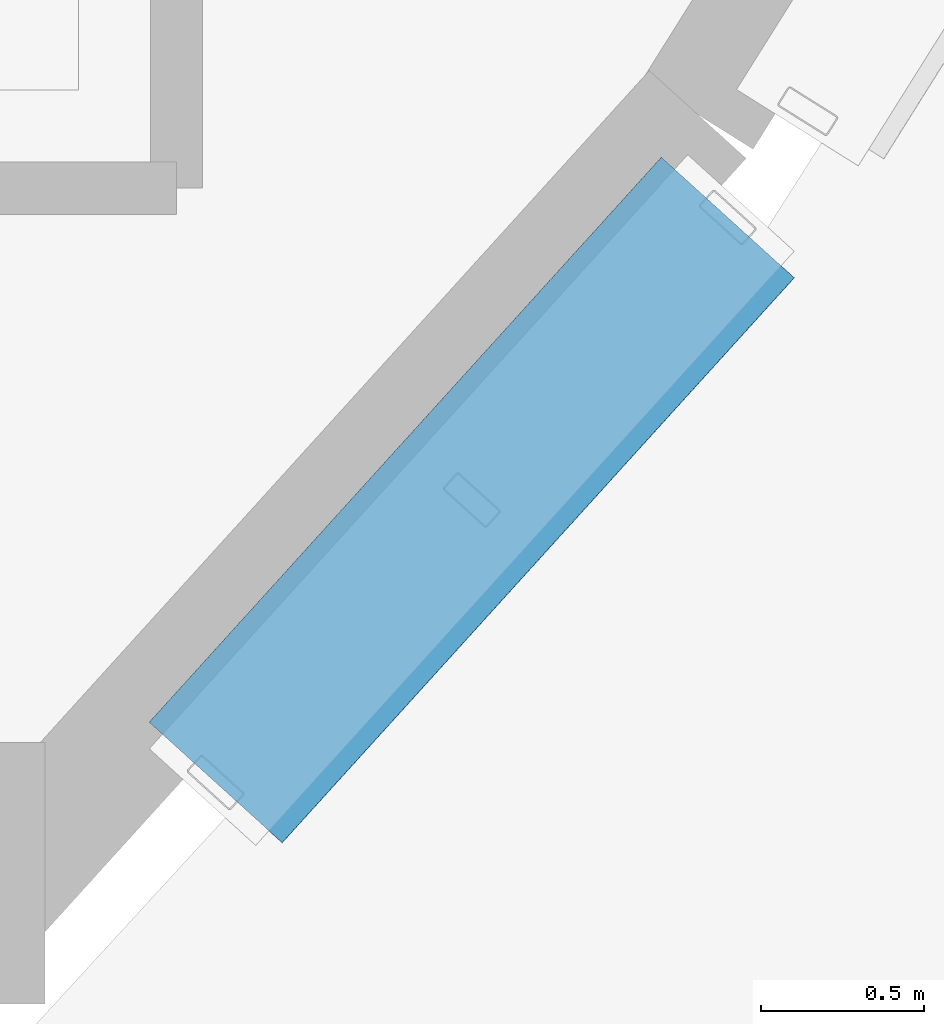
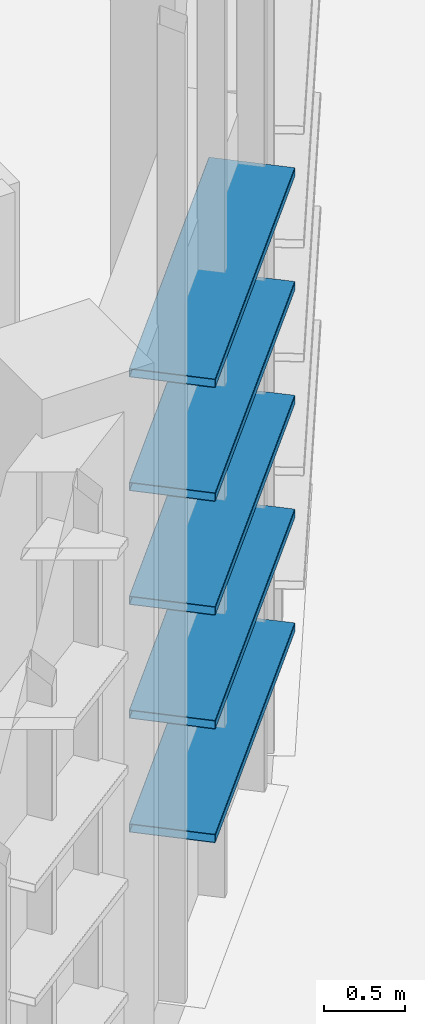
# One storey, part 58 of 372: 5 members.
"""IFC4 building model written with IfcOpenShell, lengths in metres."""

from ifc_helpers import new_model, si_unit, direction, frame, origin, origin_2d, place, context, subcontext, project, spatial, hollow_rectangle, extrude, material, material_profile, profile_set, type_object, element, save


model = new_model("IFC4")

# Units and contexts
model_context = context("Model", 3, precision=1e-05, world=origin(), true_north=direction((0.0, 1.0)))
body_context = subcontext(model_context, "Body", "Model", "MODEL_VIEW")
ifc_project = project(units=[si_unit("LENGTHUNIT", "METRE"), si_unit("AREAUNIT", "SQUARE_METRE"), si_unit("VOLUMEUNIT", "CUBIC_METRE"), si_unit("PLANEANGLEUNIT", "RADIAN"), si_unit("MASSUNIT", "GRAM", prefix="KILO")], contexts=[model_context])

# Site, building, storey
site_placement = place(None, origin())
site = spatial("IfcSite", under=ifc_project, at=site_placement, CompositionType="ELEMENT")
building_placement = place(site_placement, origin())
building = spatial("IfcBuilding", under=site, at=building_placement, Name="Kaelora Sail Theatre", CompositionType="ELEMENT")
storey_placement = place(building_placement, origin())
storey = spatial("IfcBuildingStorey", under=building, at=storey_placement, Name="L00", CompositionType="ELEMENT", Elevation=0.0)

# Members
ifc_material = material(Name="Anodised aluminium 6063-T6", Category="aluminium")
ifc_material_profile = material_profile(ifc_material, hollow_rectangle(XDim=0.550048828125, YDim=0.06494140625, WallThickness=0.00390625, InnerFilletRadius=0.00390625, OuterFilletRadius=0.008056640625, at=origin_2d()), Name="LOUVRE 550x65x4")
ifc_profile_set = profile_set([ifc_material_profile], Name="Anodised aluminium 6063-T6")
member_type = type_object("IfcMemberType", Name="ARC-MEM-LVR-300", PredefinedType="USERDEFINED", material=ifc_profile_set)
for number, where, z_axis, x_axis, name in (
    (1, (52.48779296875, 29.41015625, 1.25), (-0.671589400994, -0.740923529437, 0.0), (0.740923529437, -0.671589400994, 0.0), "Main Theatre Sail Drum horizontal solar louvre C8-01"),
    (2, (52.48779296875, 29.41015625, 2.110107421875), (-0.671589400994, -0.740923529437, 0.0), (0.740923529437, -0.671589400994, 0.0), "Main Theatre Sail Drum horizontal solar louvre C8-02"),
    (3, (52.48779296875, 29.41015625, 2.969970703125), (-0.671589400994, -0.740923529437, 0.0), (0.740923529437, -0.671589400994, 0.0), "Main Theatre Sail Drum horizontal solar louvre C8-03"),
    (4, (52.48779296875, 29.41015625, 3.830078125), (-0.671589400994, -0.740923529437, 0.0), (0.740923529437, -0.671589400994, 0.0), "Main Theatre Sail Drum horizontal solar louvre C8-04"),
    (5, (52.48779296875, 29.41015625, 4.68994140625), (-0.671589400994, -0.740923529437, 0.0), (0.740923529437, -0.671589400994, 0.0), "Main Theatre Sail Drum horizontal solar louvre C8-05"),
):
    element("IfcMember", number, at=place(storey_placement, frame(where, z_axis=z_axis, x_axis=x_axis)), inside=storey, type_object=member_type, Name=name, ObjectType="LOUVRE", PredefinedType="USERDEFINED", context=body_context, shape_type="SweptSolid", body=[
        extrude(hollow_rectangle(XDim=0.550048828125, YDim=0.06494140625, WallThickness=0.00390625, InnerFilletRadius=0.00390625, OuterFilletRadius=0.008056640625, at=origin_2d()), origin(), (0.0, 0.0, 1.0), 2.33447265625),
    ])

save(model, "model.ifc")
